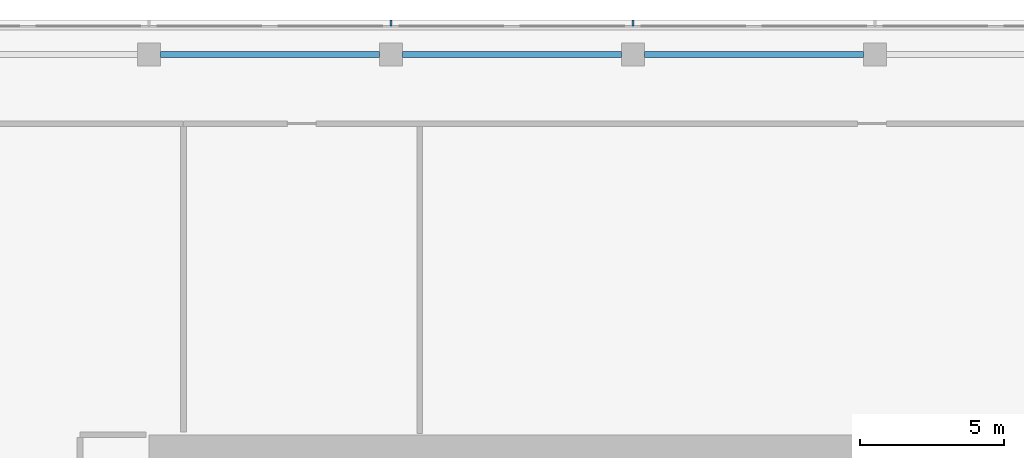
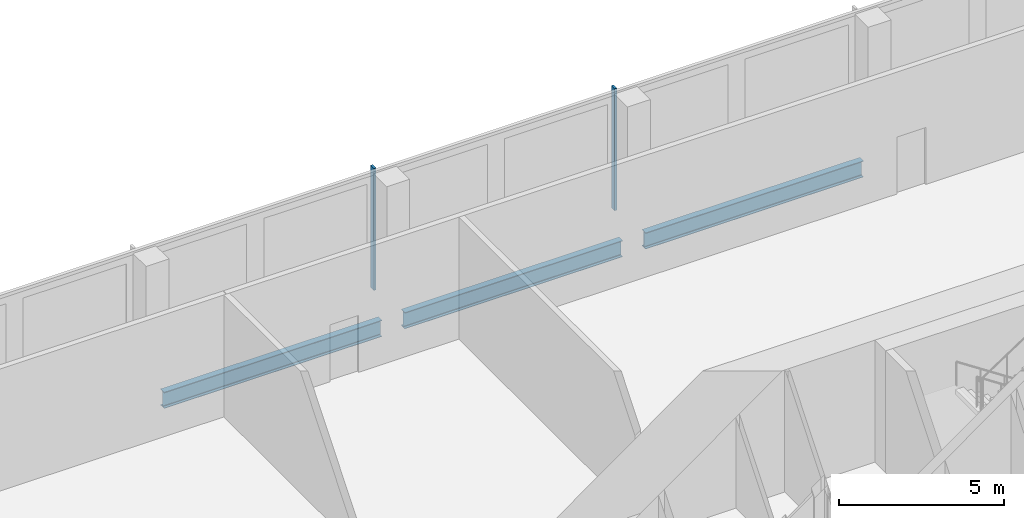
# One storey, part 18 of 39: 3 beams, 2 members, 1 element without a shape of its own.
"""IFC4 building model written with IfcOpenShell, lengths in metres."""

from ifc_helpers import new_model, si_unit, direction, frame, origin, origin_2d, place, context, subcontext, project, spatial, rectangle, i_section, extrude, material, material_profile, profile_set, type_object, element, aggregate, save


model = new_model("IFC4")

# Units and contexts
model_context = context("Model", 3, precision=1e-05, world=origin(), true_north=direction((0.0, 1.0)))
body_context = subcontext(model_context, "Body", "Model", "MODEL_VIEW")
ifc_project = project(units=[si_unit("LENGTHUNIT", "METRE"), si_unit("AREAUNIT", "SQUARE_METRE"), si_unit("VOLUMEUNIT", "CUBIC_METRE"), si_unit("PLANEANGLEUNIT", "RADIAN"), si_unit("MASSUNIT", "GRAM", prefix="KILO")], contexts=[model_context])

# Site, building, storey
site_placement = place(None, origin())
site = spatial("IfcSite", under=ifc_project, at=site_placement, CompositionType="ELEMENT")
building_placement = place(site_placement, origin())
building = spatial("IfcBuilding", under=site, at=building_placement, Name="Saffron Gate Tower", CompositionType="ELEMENT")
storey_placement = place(building_placement, frame((0.0, 0.0, 14.39990234375)))
storey = spatial("IfcBuildingStorey", under=building, at=storey_placement, Name="L02", CompositionType="ELEMENT", Elevation=14.39990234375)

# Beams
ifc_material_1 = material(Name="Structural steel S355", Category="steel")
ifc_material_profile_1 = material_profile(ifc_material_1, i_section(OverallWidth=0.219970703125, OverallDepth=0.60009765625, WebThickness=0.011962890625, FlangeThickness=0.01904296875, FilletRadius=0.02392578125, at=origin_2d()))
ifc_profile_set_1 = profile_set([ifc_material_profile_1], Name="Structural steel S355")
beam_type = type_object("IfcBeamType", Name="B15 IPE 600", PredefinedType="BEAM", material=ifc_profile_set_1)
for number, where, z_axis, x_axis, name in (
    (1, (67.0, 88.800048828125, -0.599853515625), (1.0, 0.0, 0.0), (0.0, 1.0, 0.0), "B15 PODIUM EDGE BEAM"),
    (2, (75.39990234375, 88.800048828125, -0.599853515625), (1.0, 0.0, 0.0), (0.0, 1.0, 0.0), "B15 PODIUM EDGE BEAM"),
):
    element("IfcBeam", number, at=place(storey_placement, frame(where, z_axis=z_axis, x_axis=x_axis)), inside=storey, type_object=beam_type, Name=name, PredefinedType="BEAM", context=body_context, shape_type="SweptSolid", body=[
        extrude(i_section(OverallWidth=0.219970703125, OverallDepth=0.60009765625, WebThickness=0.011962890625, FlangeThickness=0.01904296875, FilletRadius=0.02392578125, at=origin_2d()), origin(), (0.0, 0.0, 1.0), 7.60009765625),
    ])
beam_placement = place(storey_placement, frame((83.800048828125, 88.800048828125, -0.599853515625), z_axis=(1.0, 0.0, 0.0), x_axis=(0.0, 1.0, 0.0)))
element("IfcBeam", 3, at=beam_placement, inside=storey, type_object=beam_type, Name="B15 PODIUM EDGE BEAM", PredefinedType="BEAM", context=body_context, shape_type="SweptSolid", body=[
    extrude(i_section(OverallWidth=0.219970703125, OverallDepth=0.60009765625, WebThickness=0.011962890625, FlangeThickness=0.01904296875, FilletRadius=0.02392578125, at=origin_2d()), origin(), (0.0, 0.0, 1.0), 7.599853515625),
])

# Curtain wall, members
ifc_material_2 = material(Name="Aluminium, bronze anodised", Category="aluminium")
curtain_wall_type = type_object("IfcCurtainWallType", Name="CWS5 curtain wall podium ring base", PredefinedType="NOTDEFINED", material=ifc_material_2)
curtain_wall_placement = place(storey_placement, origin())
curtain_wall = element("IfcCurtainWall", 4, at=curtain_wall_placement, inside=storey, type_object=curtain_wall_type, Name="CWS5 run 3", PredefinedType="NOTDEFINED")
ifc_material_profile_2 = material_profile(ifc_material_2, rectangle(XDim=0.199951171875, YDim=0.080078125, at=origin_2d()))
ifc_profile_set_2 = profile_set([ifc_material_profile_2], Name="Aluminium, bronze anodised")
member_type = type_object("IfcMemberType", Name="CWS5 mullion 80x200", PredefinedType="MULLION", material=ifc_profile_set_2)
member_1_placement = place(storey_placement, frame((83.39990234375, 89.89990234375, 0.0), z_axis=(0.0, 0.0, 1.0), x_axis=(0.0, -1.0, 0.0)))
member_1 = element("IfcMember", 5, at=member_1_placement, type_object=member_type, Name="CWS5 mullion 9", PredefinedType="MULLION", context=body_context, shape_type="SweptSolid", body=[
    extrude(rectangle(XDim=0.199951171875, YDim=0.080078125, at=origin_2d()), origin(), (0.0, 0.0, 1.0), 4.5),
])
member_2_placement = place(storey_placement, frame((75.0, 89.89990234375, 0.0), z_axis=(0.0, 0.0, 1.0), x_axis=(0.0, -1.0, 0.0)))
member_2 = element("IfcMember", 6, at=member_2_placement, type_object=member_type, Name="CWS5 mullion 10", PredefinedType="MULLION", context=body_context, shape_type="SweptSolid", body=[
    extrude(rectangle(XDim=0.199951171875, YDim=0.080078125, at=origin_2d()), origin(), (0.0, 0.0, 1.0), 4.5),
])
aggregate(curtain_wall, [member_1, member_2])

save(model, "model.ifc")
